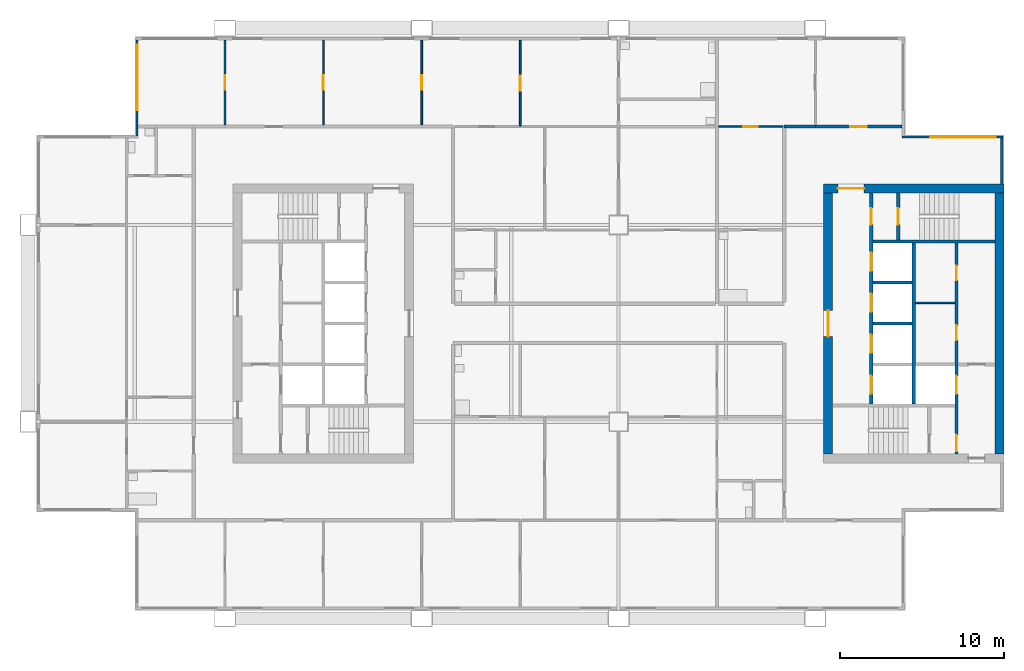
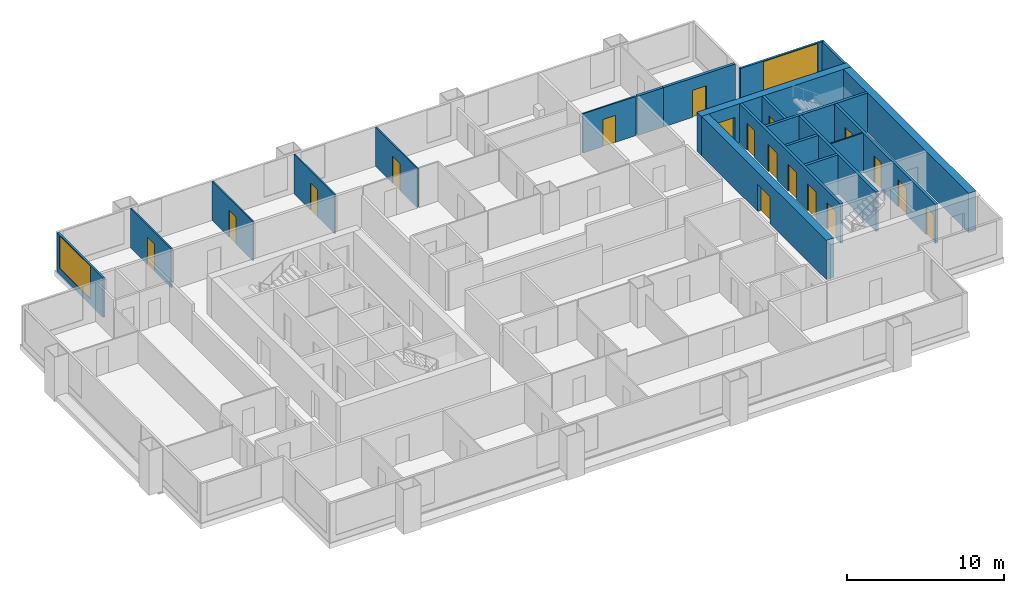
# One storey, part 6 of 9: 21 walls, 18 doors, 2 windows, 20 openings.
"""IFC4 building model written with IfcOpenShell, lengths in metres."""

from ifc_helpers import new_model, si_unit, direction, frame, frame_2d, origin, place, context, subcontext, project, spatial, rectangle, extrude, material, layer, layer_set, type_object, element, fill, save


model = new_model("IFC4")

# Units and contexts
model_context = context("Model", 3, precision=1e-05, world=origin(), true_north=direction((0.0, 1.0)))
body_context = subcontext(model_context, "Body", "Model", "MODEL_VIEW")
ifc_project = project(units=[si_unit("LENGTHUNIT", "METRE"), si_unit("AREAUNIT", "SQUARE_METRE"), si_unit("VOLUMEUNIT", "CUBIC_METRE"), si_unit("PLANEANGLEUNIT", "RADIAN"), si_unit("MASSUNIT", "GRAM", prefix="KILO")], contexts=[model_context])

# Site, building, storey
site_placement = place(None, origin())
site = spatial("IfcSite", under=ifc_project, at=site_placement, CompositionType="ELEMENT")
building_placement = place(site_placement, origin())
building = spatial("IfcBuilding", under=site, at=building_placement, Name="Kitamizu Gate Tower and Museum", CompositionType="ELEMENT")
storey_placement = place(building_placement, frame((0.0, 0.0, 178.949951171875)))
storey = spatial("IfcBuildingStorey", under=building, at=storey_placement, Name="L47", CompositionType="ELEMENT", Elevation=178.949951171875)

# Wall, opening, door
ifc_material_1 = material(Name="Concrete Fc42", Category="concrete")
ifc_layer_1 = layer(ifc_material_1, 0.550048828125)
ifc_layer_set_1 = layer_set([ifc_layer_1], Name="Concrete Fc42")
wall_type_1 = type_object("IfcWallType", Name="Core wall 550", PredefinedType="SHEAR", material=ifc_layer_set_1)
wall_1_placement = place(storey_placement, frame((59.5, 38.22509765625, 0.0), z_axis=(0.0, 0.0, 1.0), x_axis=(-1.0, 0.0, 0.0)))
wall_1 = element("IfcWall", 1, at=wall_1_placement, inside=storey, type_object=wall_type_1, Name="Core wall EN", PredefinedType="SHEAR", context=body_context, shape_type="SweptSolid", body=[
    extrude(rectangle(XDim=11.0, YDim=0.550048828125, at=frame_2d((5.5, 0.0))), origin(), (0.0, 0.0, 1.0), 3.050048828125),
])
opening_1_placement = place(wall_1_placement, frame((8.52490234375, 0.0, 0.0)))
opening_1 = element("IfcOpeningElement", 2, at=opening_1_placement, cuts=wall_1, Name="Opening L47-058", PredefinedType="OPENING", context=body_context, shape_type="SweptSolid", body=[
    extrude(rectangle(XDim=1.60009765625, YDim=2.10009765625, at=frame_2d((0.800048828125, 1.050048828125))), frame((0.0, 0.28515625, 0.0), z_axis=(0.0, -1.0, 0.0), x_axis=(1.0, 0.0, 0.0)), (0.0, 0.0, 1.0), 0.570068359375),
])
ifc_material_2 = material(Name="Timber door set", Category="wood")
door_type_1 = type_object("IfcDoorType", Name="Entrance door 1600", OperationType="DOUBLE_DOOR_SINGLE_SWING", PredefinedType="DOOR", material=ifc_material_2)
door_1_placement = place(opening_1_placement, origin())
door_1 = element("IfcDoor", 3, at=door_1_placement, inside=storey, type_object=door_type_1, Name="Lobby door L47-058", OperationType="DOUBLE_DOOR_SINGLE_SWING", OverallHeight=2.10009765625, OverallWidth=1.60009765625, PredefinedType="DOOR", context=body_context, shape_type="SweptSolid", body=[
    extrude(rectangle(XDim=1.60009765625, YDim=2.10009765625, at=frame_2d((0.800048828125, 1.050048828125))), frame((0.0, 0.02490234375, 0.0), z_axis=(0.0, -1.0, 0.0), x_axis=(1.0, 0.0, 0.0)), (0.0, 0.0, 1.0), 0.050048828125),
])
fill(opening_1, door_1)

# Wall
wall_2_placement = place(storey_placement, frame((59.22509765625, 22.050048828125, 0.0), z_axis=(0.0, 0.0, 1.0), x_axis=(0.0, 1.0, 0.0)))
element("IfcWall", 4, at=wall_2_placement, inside=storey, type_object=wall_type_1, Name="Core wall EOUT", PredefinedType="SHEAR", context=body_context, shape_type="SweptSolid", body=[
    extrude(rectangle(XDim=15.89990234375, YDim=0.550048828125, at=frame_2d((7.949951171875, 0.0))), origin(), (0.0, 0.0, 1.0), 3.050048828125),
])

# Wall, opening, door
wall_3_placement = place(storey_placement, frame((48.77490234375, 22.050048828125, 0.0), z_axis=(0.0, 0.0, 1.0), x_axis=(0.0, 1.0, 0.0)))
wall_3 = element("IfcWall", 5, at=wall_3_placement, inside=storey, type_object=wall_type_1, Name="Core wall EARC", PredefinedType="SHEAR", context=body_context, shape_type="SweptSolid", body=[
    extrude(rectangle(XDim=15.89990234375, YDim=0.550048828125, at=frame_2d((7.949951171875, 0.0))), origin(), (0.0, 0.0, 1.0), 3.050048828125),
])
opening_2_placement = place(wall_3_placement, frame((7.14990234375, 0.0, 0.0)))
opening_2 = element("IfcOpeningElement", 6, at=opening_2_placement, cuts=wall_3, Name="Opening L47-059", PredefinedType="OPENING", context=body_context, shape_type="SweptSolid", body=[
    extrude(rectangle(XDim=1.60009765625, YDim=2.10009765625, at=frame_2d((0.800048828125, 1.050048828125))), frame((0.0, 0.28515625, 0.0), z_axis=(0.0, -1.0, 0.0), x_axis=(1.0, 0.0, 0.0)), (0.0, 0.0, 1.0), 0.570068359375),
])
door_2_placement = place(opening_2_placement, origin())
door_2 = element("IfcDoor", 7, at=door_2_placement, inside=storey, type_object=door_type_1, Name="Lobby door L47-059", OperationType="DOUBLE_DOOR_SINGLE_SWING", OverallHeight=2.10009765625, OverallWidth=1.60009765625, PredefinedType="DOOR", context=body_context, shape_type="SweptSolid", body=[
    extrude(rectangle(XDim=1.60009765625, YDim=2.10009765625, at=frame_2d((0.800048828125, 1.050048828125))), frame((0.0, 0.02490234375, 0.0), z_axis=(0.0, -1.0, 0.0), x_axis=(1.0, 0.0, 0.0)), (0.0, 0.0, 1.0), 0.050048828125),
])
fill(opening_2, door_2)

# Wall
ifc_material_3 = material(Name="Gypsum board on galvanised stud")
ifc_layer_2 = layer(ifc_material_3, 0.10009765625)
ifc_layer_set_2 = layer_set([ifc_layer_2], Name="Gypsum board on galvanised stud")
wall_type_2 = type_object("IfcWallType", Name="Partition 100", PredefinedType="PARTITIONING", material=ifc_layer_set_2)
wall_4_placement = place(storey_placement, frame((56.5, 31.25, 0.0), z_axis=(0.0, 0.0, 1.0), x_axis=(-1.0, 0.0, 0.0)))
element("IfcWall", 8, at=wall_4_placement, inside=storey, type_object=wall_type_2, Name="Partition EPF1", PredefinedType="PARTITIONING", context=body_context, shape_type="SweptSolid", body=[
    extrude(rectangle(XDim=2.39990234375, YDim=0.10009765625, at=frame_2d((1.199951171875, 0.0))), origin(), (0.0, 0.0, 1.0), 3.050048828125),
])

# Wall, opening, door
ifc_material_4 = material(Name="Gypsum board on galvanised stud")
ifc_layer_3 = layer(ifc_material_4, 0.10009765625)
ifc_layer_set_3 = layer_set([ifc_layer_3], Name="Gypsum board on galvanised stud")
wall_type_3 = type_object("IfcWallType", Name="Partition 100 NOT RATED", PredefinedType="PARTITIONING", material=ifc_layer_set_3)
wall_5_placement = place(storey_placement, frame((12.0, 42.10009765625, 0.0), z_axis=(0.0, 0.0, 1.0), x_axis=(0.0, 1.0, 0.0)))
wall_5 = element("IfcWall", 9, at=wall_5_placement, inside=storey, type_object=wall_type_3, Name="Partition L47-041", PredefinedType="PARTITIONING", context=body_context, shape_type="SweptSolid", body=[
    extrude(rectangle(XDim=5.179931640625, YDim=0.10009765625, at=frame_2d((2.58984375, 0.0))), origin(), (0.0, 0.0, 1.0), 3.050048828125),
])
opening_3_placement = place(wall_5_placement, frame((2.139892578125, 0.0, 0.0)))
opening_3 = element("IfcOpeningElement", 10, at=opening_3_placement, cuts=wall_5, Name="Opening L47-017", PredefinedType="OPENING", context=body_context, shape_type="SweptSolid", body=[
    extrude(rectangle(XDim=0.89990234375, YDim=2.10009765625, at=frame_2d((0.449951171875, 1.050048828125))), frame((0.0, 0.06005859375, 0.0), z_axis=(0.0, -1.0, 0.0), x_axis=(1.0, 0.0, 0.0)), (0.0, 0.0, 1.0), 0.1201171875),
])
ifc_material_5 = material(Name="Timber door set", Category="wood")
door_type_2 = type_object("IfcDoorType", Name="Room door 900", OperationType="NOTDEFINED", PredefinedType="DOOR", material=ifc_material_5)
door_3_placement = place(opening_3_placement, origin())
door_3 = element("IfcDoor", 11, at=door_3_placement, inside=storey, type_object=door_type_2, Name="Door L47-017", OperationType="SINGLE_SWING_RIGHT", OverallHeight=2.10009765625, OverallWidth=0.89990234375, PredefinedType="DOOR", context=body_context, shape_type="SweptSolid", body=[
    extrude(rectangle(XDim=0.89990234375, YDim=2.10009765625, at=frame_2d((0.449951171875, 1.050048828125))), frame((0.0, 0.02490234375, 0.0), z_axis=(0.0, -1.0, 0.0), x_axis=(1.0, 0.0, 0.0)), (0.0, 0.0, 1.0), 0.050048828125),
])
fill(opening_3, door_3)

wall_6_placement = place(storey_placement, frame((18.0, 42.10009765625, 0.0), z_axis=(0.0, 0.0, 1.0), x_axis=(0.0, 1.0, 0.0)))
wall_6 = element("IfcWall", 12, at=wall_6_placement, inside=storey, type_object=wall_type_3, Name="Partition L47-045", PredefinedType="PARTITIONING", context=body_context, shape_type="SweptSolid", body=[
    extrude(rectangle(XDim=5.179931640625, YDim=0.10009765625, at=frame_2d((2.58984375, 0.0))), origin(), (0.0, 0.0, 1.0), 3.050048828125),
])
opening_4_placement = place(wall_6_placement, frame((2.139892578125, 0.0, 0.0)))
opening_4 = element("IfcOpeningElement", 13, at=opening_4_placement, cuts=wall_6, Name="Opening L47-016", PredefinedType="OPENING", context=body_context, shape_type="SweptSolid", body=[
    extrude(rectangle(XDim=0.89990234375, YDim=2.10009765625, at=frame_2d((0.449951171875, 1.050048828125))), frame((0.0, 0.06005859375, 0.0), z_axis=(0.0, -1.0, 0.0), x_axis=(1.0, 0.0, 0.0)), (0.0, 0.0, 1.0), 0.1201171875),
])
door_4_placement = place(opening_4_placement, frame((0.89990234375, 0.0, 0.0), x_axis=(-1.0, 0.0, 0.0)))
door_4 = element("IfcDoor", 14, at=door_4_placement, inside=storey, type_object=door_type_2, Name="Door L47-016", OperationType="SINGLE_SWING_RIGHT", OverallHeight=2.10009765625, OverallWidth=0.89990234375, PredefinedType="DOOR", context=body_context, shape_type="SweptSolid", body=[
    extrude(rectangle(XDim=0.89990234375, YDim=2.10009765625, at=frame_2d((0.449951171875, 1.050048828125))), frame((0.0, 0.02490234375, 0.0), z_axis=(0.0, -1.0, 0.0), x_axis=(1.0, 0.0, 0.0)), (0.0, 0.0, 1.0), 0.050048828125),
])
fill(opening_4, door_4)

wall_7_placement = place(storey_placement, frame((24.0, 42.10009765625, 0.0), z_axis=(0.0, 0.0, 1.0), x_axis=(0.0, 1.0, 0.0)))
wall_7 = element("IfcWall", 15, at=wall_7_placement, inside=storey, type_object=wall_type_3, Name="Partition L47-047", PredefinedType="PARTITIONING", context=body_context, shape_type="SweptSolid", body=[
    extrude(rectangle(XDim=5.179931640625, YDim=0.10009765625, at=frame_2d((2.58984375, 0.0))), origin(), (0.0, 0.0, 1.0), 3.050048828125),
])
opening_5_placement = place(wall_7_placement, frame((2.139892578125, 0.0, 0.0)))
opening_5 = element("IfcOpeningElement", 16, at=opening_5_placement, cuts=wall_7, Name="Opening L47-018", PredefinedType="OPENING", context=body_context, shape_type="SweptSolid", body=[
    extrude(rectangle(XDim=0.89990234375, YDim=2.10009765625, at=frame_2d((0.449951171875, 1.050048828125))), frame((0.0, 0.06005859375, 0.0), z_axis=(0.0, -1.0, 0.0), x_axis=(1.0, 0.0, 0.0)), (0.0, 0.0, 1.0), 0.1201171875),
])
door_5_placement = place(opening_5_placement, origin())
door_5 = element("IfcDoor", 17, at=door_5_placement, inside=storey, type_object=door_type_2, Name="Door L47-018", OperationType="SINGLE_SWING_LEFT", OverallHeight=2.10009765625, OverallWidth=0.89990234375, PredefinedType="DOOR", context=body_context, shape_type="SweptSolid", body=[
    extrude(rectangle(XDim=0.89990234375, YDim=2.10009765625, at=frame_2d((0.449951171875, 1.050048828125))), frame((0.0, 0.02490234375, 0.0), z_axis=(0.0, -1.0, 0.0), x_axis=(1.0, 0.0, 0.0)), (0.0, 0.0, 1.0), 0.050048828125),
])
fill(opening_5, door_5)

wall_8_placement = place(storey_placement, frame((30.0, 42.0, 0.0), z_axis=(0.0, 0.0, 1.0), x_axis=(0.0, 1.0, 0.0)))
wall_8 = element("IfcWall", 18, at=wall_8_placement, inside=storey, type_object=wall_type_3, Name="Partition L47-049", PredefinedType="PARTITIONING", context=body_context, shape_type="SweptSolid", body=[
    extrude(rectangle(XDim=5.280029296875, YDim=0.10009765625, at=frame_2d((2.64013671875, 0.0))), origin(), (0.0, 0.0, 1.0), 3.050048828125),
])
opening_6_placement = place(wall_8_placement, frame((2.18994140625, 0.0, 0.0)))
opening_6 = element("IfcOpeningElement", 19, at=opening_6_placement, cuts=wall_8, Name="Opening L47-019", PredefinedType="OPENING", context=body_context, shape_type="SweptSolid", body=[
    extrude(rectangle(XDim=0.89990234375, YDim=2.10009765625, at=frame_2d((0.449951171875, 1.050048828125))), frame((0.0, 0.06005859375, 0.0), z_axis=(0.0, -1.0, 0.0), x_axis=(1.0, 0.0, 0.0)), (0.0, 0.0, 1.0), 0.1201171875),
])
door_6_placement = place(opening_6_placement, origin())
door_6 = element("IfcDoor", 20, at=door_6_placement, inside=storey, type_object=door_type_2, Name="Door L47-019", OperationType="SINGLE_SWING_RIGHT", OverallHeight=2.10009765625, OverallWidth=0.89990234375, PredefinedType="DOOR", context=body_context, shape_type="SweptSolid", body=[
    extrude(rectangle(XDim=0.89990234375, YDim=2.10009765625, at=frame_2d((0.449951171875, 1.050048828125))), frame((0.0, 0.02490234375, 0.0), z_axis=(0.0, -1.0, 0.0), x_axis=(1.0, 0.0, 0.0)), (0.0, 0.0, 1.0), 0.050048828125),
])
fill(opening_6, door_6)

wall_9_placement = place(storey_placement, frame((42.10009765625, 42.0, 0.0), z_axis=(0.0, 0.0, 1.0), x_axis=(1.0, 0.0, 0.0)))
wall_9 = element("IfcWall", 21, at=wall_9_placement, inside=storey, type_object=wall_type_3, Name="Partition L47-099", PredefinedType="PARTITIONING", context=body_context, shape_type="SweptSolid", body=[
    extrude(rectangle(XDim=3.89990234375, YDim=0.10009765625, at=frame_2d((1.949951171875, 0.0))), origin(), (0.0, 0.0, 1.0), 3.050048828125),
])
opening_7_placement = place(wall_9_placement, frame((1.5, 0.0, 0.0)))
opening_7 = element("IfcOpeningElement", 22, at=opening_7_placement, cuts=wall_9, Name="Opening L47-038", PredefinedType="OPENING", context=body_context, shape_type="SweptSolid", body=[
    extrude(rectangle(XDim=0.89990234375, YDim=2.10009765625, at=frame_2d((0.449951171875, 1.050048828125))), frame((0.0, 0.06005859375, 0.0), z_axis=(0.0, -1.0, 0.0), x_axis=(1.0, 0.0, 0.0)), (0.0, 0.0, 1.0), 0.1201171875),
])
door_7_placement = place(opening_7_placement, frame((0.89990234375, 0.0, 0.0), x_axis=(-1.0, 0.0, 0.0)))
door_7 = element("IfcDoor", 23, at=door_7_placement, inside=storey, type_object=door_type_2, Name="Door L47-038", OperationType="SINGLE_SWING_LEFT", OverallHeight=2.10009765625, OverallWidth=0.89990234375, PredefinedType="DOOR", context=body_context, shape_type="SweptSolid", body=[
    extrude(rectangle(XDim=0.89990234375, YDim=2.10009765625, at=frame_2d((0.449951171875, 1.050048828125))), frame((0.0, 0.02490234375, 0.0), z_axis=(0.0, -1.0, 0.0), x_axis=(1.0, 0.0, 0.0)), (0.0, 0.0, 1.0), 0.050048828125),
])
fill(opening_7, door_7)

# Wall
ifc_material_6 = material(Name="Gypsum board on galvanised stud")
ifc_layer_4 = layer(ifc_material_6, 0.199951171875)
ifc_layer_set_4 = layer_set([ifc_layer_4], Name="Gypsum board on galvanised stud")
wall_type_4 = type_object("IfcWallType", Name="Partition 200", PredefinedType="PARTITIONING", material=ifc_layer_set_4)
wall_10_placement = place(storey_placement, frame((46.10009765625, 42.0, 0.0), z_axis=(0.0, 0.0, 1.0), x_axis=(1.0, 0.0, 0.0)))
element("IfcWall", 24, at=wall_10_placement, inside=storey, type_object=wall_type_4, Name="Partition L47-100", PredefinedType="PARTITIONING", context=body_context, shape_type="SweptSolid", body=[
    extrude(rectangle(XDim=1.89990234375, YDim=0.199951171875, at=frame_2d((0.949951171875, 0.0))), origin(), (0.0, 0.0, 1.0), 3.050048828125),
])

# Wall, opening, door
wall_11_placement = place(storey_placement, frame((48.0, 42.0, 0.0), z_axis=(0.0, 0.0, 1.0), x_axis=(1.0, 0.0, 0.0)))
wall_11 = element("IfcWall", 25, at=wall_11_placement, inside=storey, type_object=wall_type_4, Name="Partition L47-101", PredefinedType="PARTITIONING", context=body_context, shape_type="SweptSolid", body=[
    extrude(rectangle(XDim=5.280029296875, YDim=0.199951171875, at=frame_2d((2.64013671875, 0.0))), origin(), (0.0, 0.0, 1.0), 3.050048828125),
])
opening_8_placement = place(wall_11_placement, frame((2.139892578125, 0.0, 0.0)))
opening_8 = element("IfcOpeningElement", 26, at=opening_8_placement, cuts=wall_11, Name="Opening L47-036", PredefinedType="OPENING", context=body_context, shape_type="SweptSolid", body=[
    extrude(rectangle(XDim=1.0, YDim=2.10009765625, at=frame_2d((0.5, 1.050048828125))), frame((0.0, 0.10986328125, 0.0), z_axis=(0.0, -1.0, 0.0), x_axis=(1.0, 0.0, 0.0)), (0.0, 0.0, 1.0), 0.219970703125),
])
ifc_material_7 = material(Name="Timber door set", Category="wood")
door_type_3 = type_object("IfcDoorType", Name="Flat entrance door 1000", OperationType="NOTDEFINED", PredefinedType="DOOR", material=ifc_material_7)
door_8_placement = place(opening_8_placement, origin())
door_8 = element("IfcDoor", 27, at=door_8_placement, inside=storey, type_object=door_type_3, Name="Flat entrance door L47-036", OperationType="SINGLE_SWING_RIGHT", OverallHeight=2.10009765625, OverallWidth=1.0, PredefinedType="DOOR", context=body_context, shape_type="SweptSolid", body=[
    extrude(rectangle(XDim=1.0, YDim=2.10009765625, at=frame_2d((0.5, 1.050048828125))), frame((0.0, 0.02490234375, 0.0), z_axis=(0.0, -1.0, 0.0), x_axis=(1.0, 0.0, 0.0)), (0.0, 0.0, 1.0), 0.050048828125),
])
fill(opening_8, door_8)

# Wall, openings, doors
ifc_material_8 = material(Name="Concrete Fc42", Category="concrete")
ifc_layer_5 = layer(ifc_material_8, 0.199951171875)
ifc_layer_set_5 = layer_set([ifc_layer_5], Name="Concrete Fc42")
wall_type_5 = type_object("IfcWallType", Name="Shaft wall 200", PredefinedType="SOLIDWALL", material=ifc_layer_set_5)
wall_12_placement = place(storey_placement, frame((56.60009765625, 22.050048828125, 0.0), z_axis=(0.0, 0.0, 1.0), x_axis=(0.0, 1.0, 0.0)))
wall_12 = element("IfcWall", 28, at=wall_12_placement, inside=storey, type_object=wall_type_5, Name="Shaft wall EWEST", PredefinedType="SOLIDWALL", context=body_context, shape_type="SweptSolid", body=[
    extrude(rectangle(XDim=12.849853515625, YDim=0.199951171875, at=frame_2d((6.4248046875, 0.0))), origin(), (0.0, 0.0, 1.0), 3.050048828125),
])
opening_9_placement = place(wall_12_placement, frame((3.64990234375, 0.0, 0.0)))
opening_9 = element("IfcOpeningElement", 29, at=opening_9_placement, cuts=wall_12, Name="Opening LD", PredefinedType="OPENING", context=body_context, shape_type="SweptSolid", body=[
    extrude(rectangle(XDim=1.10009765625, YDim=2.10009765625, at=frame_2d((0.550048828125, 1.050048828125))), frame((0.0, 0.10986328125, 0.0), z_axis=(0.0, -1.0, 0.0), x_axis=(1.0, 0.0, 0.0)), (0.0, 0.0, 1.0), 0.219970703125),
])
opening_10_placement = place(wall_12_placement, frame((0.14990234375, 0.0, 0.0)))
opening_10 = element("IfcOpeningElement", 30, at=opening_10_placement, cuts=wall_12, Name="Opening L47-053", PredefinedType="OPENING", context=body_context, shape_type="SweptSolid", body=[
    extrude(rectangle(XDim=1.0, YDim=2.10009765625, at=frame_2d((0.5, 1.050048828125))), frame((0.0, 0.10986328125, 0.0), z_axis=(0.0, -1.0, 0.0), x_axis=(1.0, 0.0, 0.0)), (0.0, 0.0, 1.0), 0.219970703125),
])
opening_11_placement = place(wall_12_placement, frame((6.925048828125, 0.0, 0.0)))
opening_11 = element("IfcOpeningElement", 31, at=opening_11_placement, cuts=wall_12, Name="Opening L47-060", PredefinedType="OPENING", context=body_context, shape_type="SweptSolid", body=[
    extrude(rectangle(XDim=0.89990234375, YDim=2.10009765625, at=frame_2d((0.449951171875, 1.050048828125))), frame((0.0, 0.10986328125, 0.0), z_axis=(0.0, -1.0, 0.0), x_axis=(1.0, 0.0, 0.0)), (0.0, 0.0, 1.0), 0.219970703125),
])
opening_12_placement = place(wall_12_placement, frame((10.574951171875, 0.0, 0.0)))
opening_12 = element("IfcOpeningElement", 32, at=opening_12_placement, cuts=wall_12, Name="Opening L47-061", PredefinedType="OPENING", context=body_context, shape_type="SweptSolid", body=[
    extrude(rectangle(XDim=0.89990234375, YDim=2.10009765625, at=frame_2d((0.449951171875, 1.050048828125))), frame((0.0, 0.10986328125, 0.0), z_axis=(0.0, -1.0, 0.0), x_axis=(1.0, 0.0, 0.0)), (0.0, 0.0, 1.0), 0.219970703125),
])
ifc_material_9 = material(Name="Hollow metal door set")
door_type_4 = type_object("IfcDoorType", Name="Fire door 1000", OperationType="NOTDEFINED", PredefinedType="DOOR", material=ifc_material_9)
door_9_placement = place(opening_10_placement, origin())
door_9 = element("IfcDoor", 33, at=door_9_placement, inside=storey, type_object=door_type_4, Name="Stair lobby door L47-053", OperationType="SINGLE_SWING_RIGHT", OverallHeight=2.10009765625, OverallWidth=1.0, PredefinedType="DOOR", context=body_context, shape_type="SweptSolid", body=[
    extrude(rectangle(XDim=1.0, YDim=2.10009765625, at=frame_2d((0.5, 1.050048828125))), frame((0.0, 0.02490234375, 0.0), z_axis=(0.0, -1.0, 0.0), x_axis=(1.0, 0.0, 0.0)), (0.0, 0.0, 1.0), 0.050048828125),
])
fill(opening_10, door_9)
ifc_material_10 = material(Name="Hollow metal door set")
door_type_5 = type_object("IfcDoorType", Name="Landing door 1100", OperationType="SLIDING_TO_LEFT", PredefinedType="DOOR", material=ifc_material_10)
door_10_placement = place(opening_9_placement, origin())
door_10 = element("IfcDoor", 34, at=door_10_placement, inside=storey, type_object=door_type_5, Name="Landing door EFF1", OperationType="SLIDING_TO_LEFT", OverallHeight=2.10009765625, OverallWidth=1.10009765625, PredefinedType="DOOR", context=body_context, shape_type="SweptSolid", body=[
    extrude(rectangle(XDim=1.10009765625, YDim=2.10009765625, at=frame_2d((0.550048828125, 1.050048828125))), frame((0.0, 0.02490234375, 0.0), z_axis=(0.0, -1.0, 0.0), x_axis=(1.0, 0.0, 0.0)), (0.0, 0.0, 1.0), 0.050048828125),
])
fill(opening_9, door_10)
ifc_material_11 = material(Name="Timber door set", Category="wood")
door_type_6 = type_object("IfcDoorType", Name="Service door 900", OperationType="NOTDEFINED", PredefinedType="DOOR", material=ifc_material_11)
door_11_placement = place(opening_11_placement, origin())
door_11 = element("IfcDoor", 35, at=door_11_placement, inside=storey, type_object=door_type_6, Name="Service door L47-060", OperationType="SINGLE_SWING_LEFT", OverallHeight=2.10009765625, OverallWidth=0.89990234375, PredefinedType="DOOR", context=body_context, shape_type="SweptSolid", body=[
    extrude(rectangle(XDim=0.89990234375, YDim=2.10009765625, at=frame_2d((0.449951171875, 1.050048828125))), frame((0.0, 0.02490234375, 0.0), z_axis=(0.0, -1.0, 0.0), x_axis=(1.0, 0.0, 0.0)), (0.0, 0.0, 1.0), 0.050048828125),
])
fill(opening_11, door_11)
door_12_placement = place(opening_12_placement, origin())
door_12 = element("IfcDoor", 36, at=door_12_placement, inside=storey, type_object=door_type_6, Name="Service door L47-061", OperationType="SINGLE_SWING_RIGHT", OverallHeight=2.10009765625, OverallWidth=0.89990234375, PredefinedType="DOOR", context=body_context, shape_type="SweptSolid", body=[
    extrude(rectangle(XDim=0.89990234375, YDim=2.10009765625, at=frame_2d((0.449951171875, 1.050048828125))), frame((0.0, 0.02490234375, 0.0), z_axis=(0.0, -1.0, 0.0), x_axis=(1.0, 0.0, 0.0)), (0.0, 0.0, 1.0), 0.050048828125),
])
fill(opening_12, door_12)

wall_13_placement = place(storey_placement, frame((51.39990234375, 25.10009765625, 0.0), z_axis=(0.0, 0.0, 1.0), x_axis=(0.0, 1.0, 0.0)))
wall_13 = element("IfcWall", 37, at=wall_13_placement, inside=storey, type_object=wall_type_5, Name="Shaft wall EEAST", PredefinedType="SOLIDWALL", context=body_context, shape_type="SweptSolid", body=[
    extrude(rectangle(XDim=12.849853515625, YDim=0.199951171875, at=frame_2d((6.4248046875, 0.0))), origin(), (0.0, 0.0, 1.0), 3.050048828125),
])
opening_13_placement = place(wall_13_placement, frame((0.60009765625, 0.0, 0.0)))
opening_13 = element("IfcOpeningElement", 38, at=opening_13_placement, cuts=wall_13, Name="Opening LD", PredefinedType="OPENING", context=body_context, shape_type="SweptSolid", body=[
    extrude(rectangle(XDim=1.10009765625, YDim=2.10009765625, at=frame_2d((0.550048828125, 1.050048828125))), frame((0.0, 0.10986328125, 0.0), z_axis=(0.0, -1.0, 0.0), x_axis=(1.0, 0.0, 0.0)), (0.0, 0.0, 1.0), 0.219970703125),
])
opening_14_placement = place(wall_13_placement, frame((3.10009765625, 0.0, 0.0)))
opening_14 = element("IfcOpeningElement", 39, at=opening_14_placement, cuts=wall_13, Name="Opening LD", PredefinedType="OPENING", context=body_context, shape_type="SweptSolid", body=[
    extrude(rectangle(XDim=1.10009765625, YDim=2.10009765625, at=frame_2d((0.550048828125, 1.050048828125))), frame((0.0, 0.10986328125, 0.0), z_axis=(0.0, -1.0, 0.0), x_axis=(1.0, 0.0, 0.0)), (0.0, 0.0, 1.0), 0.219970703125),
])
opening_15_placement = place(wall_13_placement, frame((5.60009765625, 0.0, 0.0)))
opening_15 = element("IfcOpeningElement", 40, at=opening_15_placement, cuts=wall_13, Name="Opening LD", PredefinedType="OPENING", context=body_context, shape_type="SweptSolid", body=[
    extrude(rectangle(XDim=1.10009765625, YDim=2.10009765625, at=frame_2d((0.550048828125, 1.050048828125))), frame((0.0, 0.10986328125, 0.0), z_axis=(0.0, -1.0, 0.0), x_axis=(1.0, 0.0, 0.0)), (0.0, 0.0, 1.0), 0.219970703125),
])
opening_16_placement = place(wall_13_placement, frame((8.10009765625, 0.0, 0.0)))
opening_16 = element("IfcOpeningElement", 41, at=opening_16_placement, cuts=wall_13, Name="Opening LD", PredefinedType="OPENING", context=body_context, shape_type="SweptSolid", body=[
    extrude(rectangle(XDim=1.10009765625, YDim=2.10009765625, at=frame_2d((0.550048828125, 1.050048828125))), frame((0.0, 0.10986328125, 0.0), z_axis=(0.0, -1.0, 0.0), x_axis=(1.0, 0.0, 0.0)), (0.0, 0.0, 1.0), 0.219970703125),
])
opening_17_placement = place(wall_13_placement, frame((10.925048828125, 0.0, 0.0)))
opening_17 = element("IfcOpeningElement", 42, at=opening_17_placement, cuts=wall_13, Name="Opening L47-054", PredefinedType="OPENING", context=body_context, shape_type="SweptSolid", body=[
    extrude(rectangle(XDim=1.0, YDim=2.10009765625, at=frame_2d((0.5, 1.050048828125))), frame((0.0, 0.10986328125, 0.0), z_axis=(0.0, -1.0, 0.0), x_axis=(1.0, 0.0, 0.0)), (0.0, 0.0, 1.0), 0.219970703125),
])
door_13_placement = place(opening_17_placement, frame((1.0, 0.0, 0.0), x_axis=(-1.0, 0.0, 0.0)))
door_13 = element("IfcDoor", 43, at=door_13_placement, inside=storey, type_object=door_type_4, Name="Stair lobby door L47-054", OperationType="SINGLE_SWING_RIGHT", OverallHeight=2.10009765625, OverallWidth=1.0, PredefinedType="DOOR", context=body_context, shape_type="SweptSolid", body=[
    extrude(rectangle(XDim=1.0, YDim=2.10009765625, at=frame_2d((0.5, 1.050048828125))), frame((0.0, 0.02490234375, 0.0), z_axis=(0.0, -1.0, 0.0), x_axis=(1.0, 0.0, 0.0)), (0.0, 0.0, 1.0), 0.050048828125),
])
fill(opening_17, door_13)
door_14_placement = place(opening_13_placement, origin())
door_14 = element("IfcDoor", 44, at=door_14_placement, inside=storey, type_object=door_type_5, Name="Landing door ESV1", OperationType="SLIDING_TO_LEFT", OverallHeight=2.10009765625, OverallWidth=1.10009765625, PredefinedType="DOOR", context=body_context, shape_type="SweptSolid", body=[
    extrude(rectangle(XDim=1.10009765625, YDim=2.10009765625, at=frame_2d((0.550048828125, 1.050048828125))), frame((0.0, 0.02490234375, 0.0), z_axis=(0.0, -1.0, 0.0), x_axis=(1.0, 0.0, 0.0)), (0.0, 0.0, 1.0), 0.050048828125),
])
fill(opening_13, door_14)
door_15_placement = place(opening_14_placement, origin())
door_15 = element("IfcDoor", 45, at=door_15_placement, inside=storey, type_object=door_type_5, Name="Landing door EH1", OperationType="SLIDING_TO_LEFT", OverallHeight=2.10009765625, OverallWidth=1.10009765625, PredefinedType="DOOR", context=body_context, shape_type="SweptSolid", body=[
    extrude(rectangle(XDim=1.10009765625, YDim=2.10009765625, at=frame_2d((0.550048828125, 1.050048828125))), frame((0.0, 0.02490234375, 0.0), z_axis=(0.0, -1.0, 0.0), x_axis=(1.0, 0.0, 0.0)), (0.0, 0.0, 1.0), 0.050048828125),
])
fill(opening_14, door_15)
door_16_placement = place(opening_15_placement, origin())
door_16 = element("IfcDoor", 46, at=door_16_placement, inside=storey, type_object=door_type_5, Name="Landing door EH2", OperationType="SLIDING_TO_LEFT", OverallHeight=2.10009765625, OverallWidth=1.10009765625, PredefinedType="DOOR", context=body_context, shape_type="SweptSolid", body=[
    extrude(rectangle(XDim=1.10009765625, YDim=2.10009765625, at=frame_2d((0.550048828125, 1.050048828125))), frame((0.0, 0.02490234375, 0.0), z_axis=(0.0, -1.0, 0.0), x_axis=(1.0, 0.0, 0.0)), (0.0, 0.0, 1.0), 0.050048828125),
])
fill(opening_15, door_16)
door_17_placement = place(opening_16_placement, origin())
door_17 = element("IfcDoor", 47, at=door_17_placement, inside=storey, type_object=door_type_5, Name="Landing door EH3", OperationType="SLIDING_TO_LEFT", OverallHeight=2.10009765625, OverallWidth=1.10009765625, PredefinedType="DOOR", context=body_context, shape_type="SweptSolid", body=[
    extrude(rectangle(XDim=1.10009765625, YDim=2.10009765625, at=frame_2d((0.550048828125, 1.050048828125))), frame((0.0, 0.02490234375, 0.0), z_axis=(0.0, -1.0, 0.0), x_axis=(1.0, 0.0, 0.0)), (0.0, 0.0, 1.0), 0.050048828125),
])
fill(opening_16, door_17)

# Walls
wall_14_placement = place(storey_placement, frame((54.0, 25.10009765625, 0.0), z_axis=(0.0, 0.0, 1.0), x_axis=(0.0, 1.0, 0.0)))
element("IfcWall", 48, at=wall_14_placement, inside=storey, type_object=wall_type_5, Name="Shaft wall EMID", PredefinedType="SOLIDWALL", context=body_context, shape_type="SweptSolid", body=[
    extrude(rectangle(XDim=9.7998046875, YDim=0.199951171875, at=frame_2d((4.89990234375, 0.0))), origin(), (0.0, 0.0, 1.0), 3.050048828125),
])
wall_15_placement = place(storey_placement, frame((58.949951171875, 35.0, 0.0), z_axis=(0.0, 0.0, 1.0), x_axis=(-1.0, 0.0, 0.0)))
element("IfcWall", 49, at=wall_15_placement, inside=storey, type_object=wall_type_5, Name="Shaft wall ENB", PredefinedType="SOLIDWALL", context=body_context, shape_type="SweptSolid", body=[
    extrude(rectangle(XDim=7.449951171875, YDim=0.199951171875, at=frame_2d((3.72509765625, 0.0))), origin(), (0.0, 0.0, 1.0), 3.050048828125),
])

# Wall, opening, door
wall_16_placement = place(storey_placement, frame((53.050048828125, 35.10009765625, 0.0), z_axis=(0.0, 0.0, 1.0), x_axis=(0.0, 1.0, 0.0)))
wall_16 = element("IfcWall", 50, at=wall_16_placement, inside=storey, type_object=wall_type_5, Name="Shaft wall ENZ", PredefinedType="SOLIDWALL", context=body_context, shape_type="SweptSolid", body=[
    extrude(rectangle(XDim=2.849853515625, YDim=0.199951171875, at=frame_2d((1.4248046875, 0.0))), origin(), (0.0, 0.0, 1.0), 3.050048828125),
])
opening_18_placement = place(wall_16_placement, frame((0.925048828125, 0.0, 0.0)))
opening_18 = element("IfcOpeningElement", 51, at=opening_18_placement, cuts=wall_16, Name="Opening L47-055", PredefinedType="OPENING", context=body_context, shape_type="SweptSolid", body=[
    extrude(rectangle(XDim=1.0, YDim=2.10009765625, at=frame_2d((0.5, 1.050048828125))), frame((0.0, 0.10986328125, 0.0), z_axis=(0.0, -1.0, 0.0), x_axis=(1.0, 0.0, 0.0)), (0.0, 0.0, 1.0), 0.219970703125),
])
door_18_placement = place(opening_18_placement, frame((1.0, 0.0, 0.0), x_axis=(-1.0, 0.0, 0.0)))
door_18 = element("IfcDoor", 52, at=door_18_placement, inside=storey, type_object=door_type_4, Name="Stair door L47-055", OperationType="SINGLE_SWING_LEFT", OverallHeight=2.10009765625, OverallWidth=1.0, PredefinedType="DOOR", context=body_context, shape_type="SweptSolid", body=[
    extrude(rectangle(XDim=1.0, YDim=2.10009765625, at=frame_2d((0.5, 1.050048828125))), frame((0.0, 0.02490234375, 0.0), z_axis=(0.0, -1.0, 0.0), x_axis=(1.0, 0.0, 0.0)), (0.0, 0.0, 1.0), 0.050048828125),
])
fill(opening_18, door_18)

# Walls
for number, where, z_axis, x_axis, name in (
    (53, (53.89990234375, 30.0, 0.0), (0.0, 0.0, 1.0), (-1.0, 0.0, 0.0), "Shaft wall EDVE1"),
    (54, (53.89990234375, 32.5, 0.0), (0.0, 0.0, 1.0), (-1.0, 0.0, 0.0), "Shaft wall EDVE2"),
):
    element("IfcWall", number, at=place(storey_placement, frame(where, z_axis=z_axis, x_axis=x_axis)), inside=storey, type_object=wall_type_5, Name=name, PredefinedType="SOLIDWALL", context=body_context, shape_type="SweptSolid", body=[
        extrude(rectangle(XDim=2.39990234375, YDim=0.199951171875, at=frame_2d((1.199951171875, 0.0))), origin(), (0.0, 0.0, 1.0), 3.050048828125),
    ])
ifc_material_12 = material(Name="Bronze anodised aluminium frame with insulated spandrel and tinted glass", Category="aluminium")
ifc_layer_6 = layer(ifc_material_12, 0.14990234375)
ifc_layer_set_6 = layer_set([ifc_layer_6], Name="Bronze anodised aluminium frame with insulated spandrel and tinted glass")
wall_type_6 = type_object("IfcWallType", Name="WINDOW WALL 150 BRONZE FRAME EI 30", PredefinedType="ELEMENTEDWALL", material=ifc_layer_set_6)
wall_17_placement = place(storey_placement, frame((59.364990234375, 38.5, 0.0), z_axis=(0.0, 0.0, 1.0), x_axis=(0.0, 1.0, 0.0)))
element("IfcWall", 55, at=wall_17_placement, inside=storey, type_object=wall_type_6, Name="Window wall east L47", PredefinedType="ELEMENTEDWALL", context=body_context, shape_type="SweptSolid", body=[
    extrude(rectangle(XDim=2.7900390625, YDim=0.14990234375, at=frame_2d((1.39501953125, 0.0))), origin(), (0.0, 0.0, 1.0), 3.050048828125),
])

# Wall, opening, window
wall_18_placement = place(storey_placement, frame((53.2900390625, 41.364990234375, 0.0), z_axis=(0.0, 0.0, 1.0), x_axis=(1.0, 0.0, 0.0)))
wall_18 = element("IfcWall", 56, at=wall_18_placement, inside=storey, type_object=wall_type_6, Name="Window wall north L47", PredefinedType="ELEMENTEDWALL", context=body_context, shape_type="SweptSolid", body=[
    extrude(rectangle(XDim=6.14990234375, YDim=0.14990234375, at=frame_2d((3.074951171875, 0.0))), origin(), (0.0, 0.0, 1.0), 3.050048828125),
])
opening_19_placement = place(wall_18_placement, frame((1.7099609375, 0.0, 0.449951171875)))
opening_19 = element("IfcOpeningElement", 57, at=opening_19_placement, cuts=wall_18, Name="Opening W16", PredefinedType="OPENING", context=body_context, shape_type="SweptSolid", body=[
    extrude(rectangle(XDim=4.0, YDim=2.550048828125, at=frame_2d((2.0, 1.27490234375))), frame((0.0, 0.0849609375, 0.0), z_axis=(0.0, -1.0, 0.0), x_axis=(1.0, 0.0, 0.0)), (0.0, 0.0, 1.0), 0.169921875),
])
ifc_material_13 = material(Name="Bronze anodised aluminium frame, tinted triple glazing", Category="aluminium")
window_type = type_object("IfcWindowType", Name="WINDOW 4000 x 2550 SILL 450", PartitioningType="SINGLE_PANEL", PredefinedType="WINDOW", material=ifc_material_13)
window_1_placement = place(opening_19_placement, origin())
window_1 = element("IfcWindow", 58, at=window_1_placement, inside=storey, type_object=window_type, Name="Window W16 L47", OverallHeight=2.550048828125, OverallWidth=4.0, PartitioningType="SINGLE_PANEL", PredefinedType="WINDOW", context=body_context, shape_type="SweptSolid", body=[
    extrude(rectangle(XDim=4.0, YDim=2.550048828125, at=frame_2d((2.0, 1.27490234375))), frame((0.0, 0.030029296875, 0.0), z_axis=(0.0, -1.0, 0.0), x_axis=(1.0, 0.0, 0.0)), (0.0, 0.0, 1.0), 0.06005859375),
])
fill(opening_19, window_1)

wall_19_placement = place(storey_placement, frame((6.635009765625, 41.43994140625, 0.0), z_axis=(0.0, 0.0, 1.0), x_axis=(0.0, 1.0, 0.0)))
wall_19 = element("IfcWall", 59, at=wall_19_placement, inside=storey, type_object=wall_type_6, Name="Window wall west L47", PredefinedType="ELEMENTEDWALL", context=body_context, shape_type="SweptSolid", body=[
    extrude(rectangle(XDim=5.85009765625, YDim=0.14990234375, at=frame_2d((2.925048828125, 0.0))), origin(), (0.0, 0.0, 1.0), 3.050048828125),
])
opening_20_placement = place(wall_19_placement, frame((1.56005859375, 0.0, 0.449951171875)))
opening_20 = element("IfcOpeningElement", 60, at=opening_20_placement, cuts=wall_19, Name="Opening W16", PredefinedType="OPENING", context=body_context, shape_type="SweptSolid", body=[
    extrude(rectangle(XDim=4.0, YDim=2.550048828125, at=frame_2d((2.0, 1.27490234375))), frame((0.0, 0.0849609375, 0.0), z_axis=(0.0, -1.0, 0.0), x_axis=(1.0, 0.0, 0.0)), (0.0, 0.0, 1.0), 0.169921875),
])
window_2_placement = place(opening_20_placement, origin())
window_2 = element("IfcWindow", 61, at=window_2_placement, inside=storey, type_object=window_type, Name="Window W16 L47", OverallHeight=2.550048828125, OverallWidth=4.0, PartitioningType="SINGLE_PANEL", PredefinedType="WINDOW", context=body_context, shape_type="SweptSolid", body=[
    extrude(rectangle(XDim=4.0, YDim=2.550048828125, at=frame_2d((2.0, 1.27490234375))), frame((0.0, 0.030029296875, 0.0), z_axis=(0.0, -1.0, 0.0), x_axis=(1.0, 0.0, 0.0)), (0.0, 0.0, 1.0), 0.06005859375),
])
fill(opening_20, window_2)

save(model, "model.ifc")
